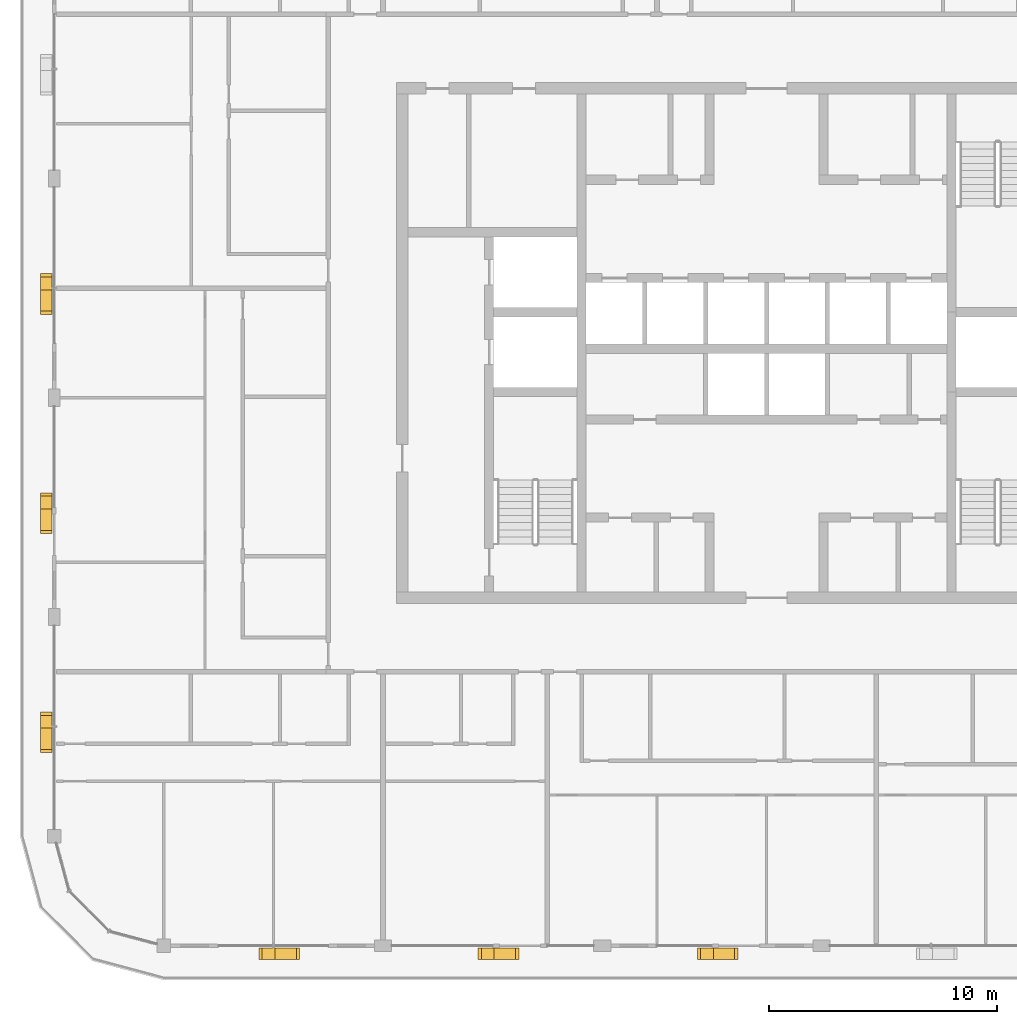
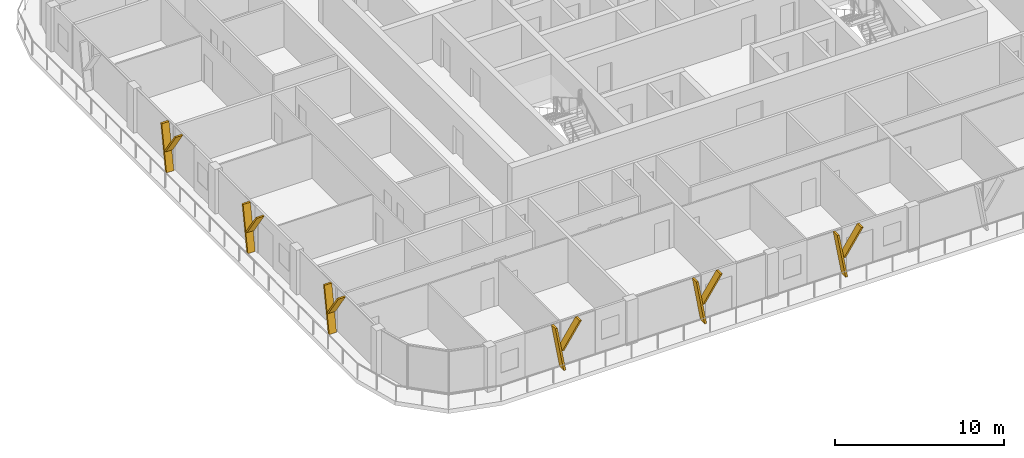
# One storey, part 17 of 22: 12 shading devices.
"""IFC4 building model written with IfcOpenShell, lengths in metres."""

from ifc_helpers import new_model, si_unit, direction, frame, origin, place, context, subcontext, project, spatial, polyline, outline, extrude, material, type_object, element, save


model = new_model("IFC4")

# Units and contexts
model_context = context("Model", 3, precision=1e-05, world=origin(), true_north=direction((0.0, 1.0)))
body_context = subcontext(model_context, "Body", "Model", "MODEL_VIEW")
ifc_project = project(units=[si_unit("LENGTHUNIT", "METRE"), si_unit("AREAUNIT", "SQUARE_METRE"), si_unit("VOLUMEUNIT", "CUBIC_METRE"), si_unit("PLANEANGLEUNIT", "RADIAN"), si_unit("MASSUNIT", "GRAM", prefix="KILO")], contexts=[model_context])

# Site, building, storey
site_placement = place(None, origin())
site = spatial("IfcSite", under=ifc_project, at=site_placement, CompositionType="ELEMENT")
building_placement = place(site_placement, origin())
building = spatial("IfcBuilding", under=site, at=building_placement, Name="Madar Terraces", CompositionType="ELEMENT")
storey_placement = place(building_placement, frame((0.0, 0.0, 282.60009765625)))
storey = spatial("IfcBuildingStorey", under=building, at=storey_placement, Name="L74", CompositionType="ELEMENT", Elevation=282.60009765625)

# Shading devices
ifc_material = material(Name="Aluminium, black anodised", Category="aluminium")
shading_device_type = type_object("IfcShadingDeviceType", Name="Facade fin blade 140 x 500", PredefinedType="USERDEFINED", material=ifc_material)
shading_device_1_placement = place(storey_placement, frame((9.530029296875, -0.35009765625, 0.0), z_axis=(0.0, 0.0, 1.0), x_axis=(1.0, 0.0, 0.0)))
element("IfcShadingDevice", 1, at=shading_device_1_placement, inside=storey, type_object=shading_device_type, Name="FIN L74 S1", ObjectType="FIN", PredefinedType="USERDEFINED", context=body_context, shape_type="SweptSolid", body=[
    extrude(outline(polyline([(0.0, 0.0), (0.139892578125, 0.0), (-0.42431640625, 3.199951171875), (-0.564208984375, 3.199951171875), (0.0, 0.0)])), frame((0.0, 0.25, 0.0), z_axis=(0.0, -1.0, 0.0), x_axis=(1.0, 0.0, 0.0)), (0.0, 0.0, 1.0), 0.5),
])
shading_device_2_placement = place(storey_placement, frame((9.416015625, -0.35009765625, 1.43994140625), z_axis=(0.0, 0.0, 1.0), x_axis=(1.0, 0.0, 0.0)))
element("IfcShadingDevice", 2, at=shading_device_2_placement, inside=storey, type_object=shading_device_type, Name="FIN L74 S1 branch", ObjectType="FIN", PredefinedType="USERDEFINED", context=body_context, shape_type="SweptSolid", body=[
    extrude(outline(polyline([(0.0, 0.0), (0.14013671875, 0.0), (1.32958984375, 1.760009765625), (1.189697265625, 1.760009765625), (0.0, 0.0)])), frame((0.0, 0.25, 0.0), z_axis=(0.0, -1.0, 0.0), x_axis=(1.0, 0.0, 0.0)), (0.0, 0.0, 1.0), 0.5),
])
shading_device_3_placement = place(storey_placement, frame((19.1298828125, -0.35009765625, 0.0), z_axis=(0.0, 0.0, 1.0), x_axis=(1.0, 0.0, 0.0)))
element("IfcShadingDevice", 3, at=shading_device_3_placement, inside=storey, type_object=shading_device_type, Name="FIN L74 S2", ObjectType="FIN", PredefinedType="USERDEFINED", context=body_context, shape_type="SweptSolid", body=[
    extrude(outline(polyline([(0.0, 0.0), (0.14013671875, 0.0), (-0.42431640625, 3.199951171875), (-0.564208984375, 3.199951171875), (0.0, 0.0)])), frame((0.0, 0.25, 0.0), z_axis=(0.0, -1.0, 0.0), x_axis=(1.0, 0.0, 0.0)), (0.0, 0.0, 1.0), 0.5),
])
shading_device_4_placement = place(storey_placement, frame((19.01611328125, -0.35009765625, 1.43994140625), z_axis=(0.0, 0.0, 1.0), x_axis=(1.0, 0.0, 0.0)))
element("IfcShadingDevice", 4, at=shading_device_4_placement, inside=storey, type_object=shading_device_type, Name="FIN L74 S2 branch", ObjectType="FIN", PredefinedType="USERDEFINED", context=body_context, shape_type="SweptSolid", body=[
    extrude(outline(polyline([(0.0, 0.0), (0.139892578125, 0.0), (1.32958984375, 1.760009765625), (1.189697265625, 1.760009765625), (0.0, 0.0)])), frame((0.0, 0.25, 0.0), z_axis=(0.0, -1.0, 0.0), x_axis=(1.0, 0.0, 0.0)), (0.0, 0.0, 1.0), 0.5),
])
shading_device_5_placement = place(storey_placement, frame((28.72998046875, -0.35009765625, 0.0), z_axis=(0.0, 0.0, 1.0), x_axis=(1.0, 0.0, 0.0)))
element("IfcShadingDevice", 5, at=shading_device_5_placement, inside=storey, type_object=shading_device_type, Name="FIN L74 S3", ObjectType="FIN", PredefinedType="USERDEFINED", context=body_context, shape_type="SweptSolid", body=[
    extrude(outline(polyline([(0.0, 0.0), (0.14013671875, 0.0), (-0.42431640625, 3.199951171875), (-0.564208984375, 3.199951171875), (0.0, 0.0)])), frame((0.0, 0.25, 0.0), z_axis=(0.0, -1.0, 0.0), x_axis=(1.0, 0.0, 0.0)), (0.0, 0.0, 1.0), 0.5),
])
shading_device_6_placement = place(storey_placement, frame((28.6162109375, -0.35009765625, 1.43994140625), z_axis=(0.0, 0.0, 1.0), x_axis=(1.0, 0.0, 0.0)))
element("IfcShadingDevice", 6, at=shading_device_6_placement, inside=storey, type_object=shading_device_type, Name="FIN L74 S3 branch", ObjectType="FIN", PredefinedType="USERDEFINED", context=body_context, shape_type="SweptSolid", body=[
    extrude(outline(polyline([(0.0, 0.0), (0.139892578125, 0.0), (1.32958984375, 1.760009765625), (1.189697265625, 1.760009765625), (0.0, 0.0)])), frame((0.0, 0.25, 0.0), z_axis=(0.0, -1.0, 0.0), x_axis=(1.0, 0.0, 0.0)), (0.0, 0.0, 1.0), 0.5),
])
shading_device_7_placement = place(storey_placement, frame((-0.35009765625, 28.8701171875, 0.0), z_axis=(0.0, 0.0, 1.0), x_axis=(0.0, -1.0, 0.0)))
element("IfcShadingDevice", 7, at=shading_device_7_placement, inside=storey, type_object=shading_device_type, Name="FIN L74 W2", ObjectType="FIN", PredefinedType="USERDEFINED", context=body_context, shape_type="SweptSolid", body=[
    extrude(outline(polyline([(0.0, 0.0), (0.14013671875, 0.0), (-0.42431640625, 3.199951171875), (-0.564208984375, 3.199951171875), (0.0, 0.0)])), frame((0.0, 0.25, 0.0), z_axis=(0.0, -1.0, 0.0), x_axis=(1.0, 0.0, 0.0)), (0.0, 0.0, 1.0), 0.5),
])
shading_device_8_placement = place(storey_placement, frame((-0.35009765625, 28.98388671875, 1.43994140625), z_axis=(0.0, 0.0, 1.0), x_axis=(0.0, -1.0, 0.0)))
element("IfcShadingDevice", 8, at=shading_device_8_placement, inside=storey, type_object=shading_device_type, Name="FIN L74 W2 branch", ObjectType="FIN", PredefinedType="USERDEFINED", context=body_context, shape_type="SweptSolid", body=[
    extrude(outline(polyline([(0.0, 0.0), (0.139892578125, 0.0), (1.32958984375, 1.760009765625), (1.189697265625, 1.760009765625), (0.0, 0.0)])), frame((0.0, 0.25, 0.0), z_axis=(0.0, -1.0, 0.0), x_axis=(1.0, 0.0, 0.0)), (0.0, 0.0, 1.0), 0.5),
])
shading_device_9_placement = place(storey_placement, frame((-0.35009765625, 19.27001953125, 0.0), z_axis=(0.0, 0.0, 1.0), x_axis=(0.0, -1.0, 0.0)))
element("IfcShadingDevice", 9, at=shading_device_9_placement, inside=storey, type_object=shading_device_type, Name="FIN L74 W3", ObjectType="FIN", PredefinedType="USERDEFINED", context=body_context, shape_type="SweptSolid", body=[
    extrude(outline(polyline([(0.0, 0.0), (0.14013671875, 0.0), (-0.42431640625, 3.199951171875), (-0.564208984375, 3.199951171875), (0.0, 0.0)])), frame((0.0, 0.25, 0.0), z_axis=(0.0, -1.0, 0.0), x_axis=(1.0, 0.0, 0.0)), (0.0, 0.0, 1.0), 0.5),
])
shading_device_10_placement = place(storey_placement, frame((-0.35009765625, 19.3837890625, 1.43994140625), z_axis=(0.0, 0.0, 1.0), x_axis=(0.0, -1.0, 0.0)))
element("IfcShadingDevice", 10, at=shading_device_10_placement, inside=storey, type_object=shading_device_type, Name="FIN L74 W3 branch", ObjectType="FIN", PredefinedType="USERDEFINED", context=body_context, shape_type="SweptSolid", body=[
    extrude(outline(polyline([(0.0, 0.0), (0.139892578125, 0.0), (1.32958984375, 1.760009765625), (1.189697265625, 1.760009765625), (0.0, 0.0)])), frame((0.0, 0.25, 0.0), z_axis=(0.0, -1.0, 0.0), x_axis=(1.0, 0.0, 0.0)), (0.0, 0.0, 1.0), 0.5),
])
shading_device_11_placement = place(storey_placement, frame((-0.35009765625, 9.669921875, 0.0), z_axis=(0.0, 0.0, 1.0), x_axis=(0.0, -1.0, 0.0)))
element("IfcShadingDevice", 11, at=shading_device_11_placement, inside=storey, type_object=shading_device_type, Name="FIN L74 W4", ObjectType="FIN", PredefinedType="USERDEFINED", context=body_context, shape_type="SweptSolid", body=[
    extrude(outline(polyline([(0.0, 0.0), (0.139892578125, 0.0), (-0.42431640625, 3.199951171875), (-0.564208984375, 3.199951171875), (0.0, 0.0)])), frame((0.0, 0.25, 0.0), z_axis=(0.0, -1.0, 0.0), x_axis=(1.0, 0.0, 0.0)), (0.0, 0.0, 1.0), 0.5),
])
shading_device_12_placement = place(storey_placement, frame((-0.35009765625, 9.783935546875, 1.43994140625), z_axis=(0.0, 0.0, 1.0), x_axis=(0.0, -1.0, 0.0)))
element("IfcShadingDevice", 12, at=shading_device_12_placement, inside=storey, type_object=shading_device_type, Name="FIN L74 W4 branch", ObjectType="FIN", PredefinedType="USERDEFINED", context=body_context, shape_type="SweptSolid", body=[
    extrude(outline(polyline([(0.0, 0.0), (0.14013671875, 0.0), (1.32958984375, 1.760009765625), (1.189697265625, 1.760009765625), (0.0, 0.0)])), frame((0.0, 0.25, 0.0), z_axis=(0.0, -1.0, 0.0), x_axis=(1.0, 0.0, 0.0)), (0.0, 0.0, 1.0), 0.5),
])

save(model, "model.ifc")
